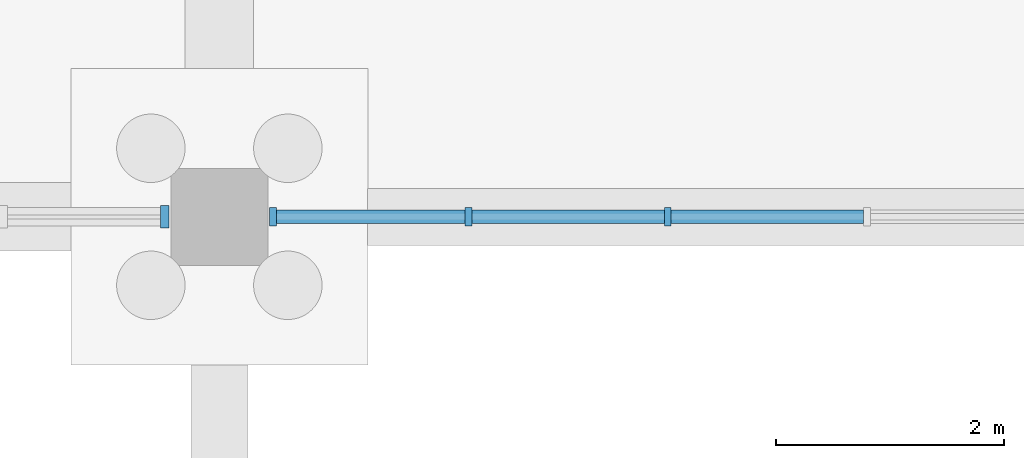
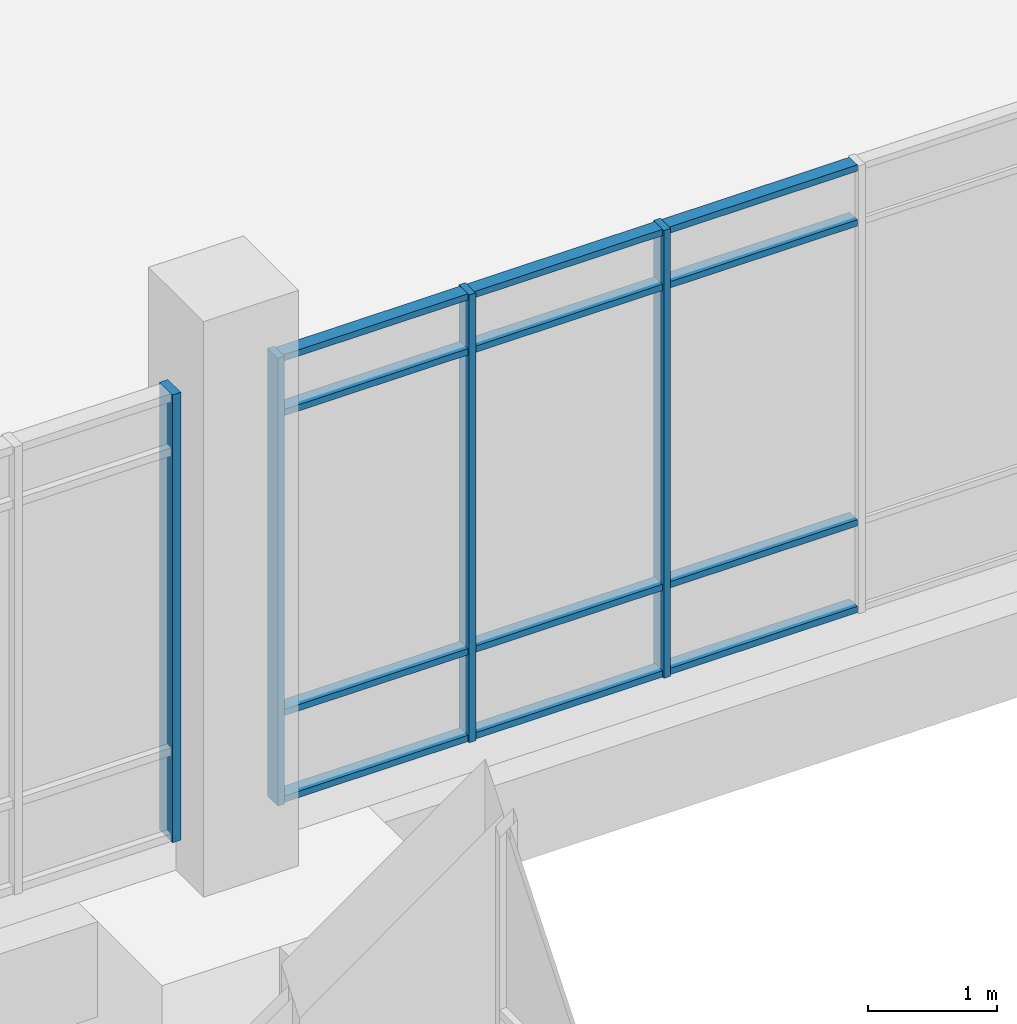
# One storey, part 39 of 136: 16 members, 2 elements without a shape of their own.
"""IFC4 building model written with IfcOpenShell, lengths in metres."""

from ifc_helpers import new_model, si_unit, direction, frame, origin, origin_2d, place, context, subcontext, project, spatial, rectangle, extrude, material, material_profile, profile_set, type_object, element, aggregate, save


model = new_model("IFC4")

# Units and contexts
model_context = context("Model", 3, precision=1e-05, world=origin(), true_north=direction((0.0, 1.0)))
body_context = subcontext(model_context, "Body", "Model", "MODEL_VIEW")
ifc_project = project(units=[si_unit("LENGTHUNIT", "METRE"), si_unit("AREAUNIT", "SQUARE_METRE"), si_unit("VOLUMEUNIT", "CUBIC_METRE"), si_unit("PLANEANGLEUNIT", "RADIAN"), si_unit("MASSUNIT", "GRAM", prefix="KILO")], contexts=[model_context])

# Site, building, storey
site_placement = place(None, origin())
site = spatial("IfcSite", under=ifc_project, at=site_placement, CompositionType="ELEMENT")
building_placement = place(site_placement, origin())
building = spatial("IfcBuilding", under=site, at=building_placement, Name="Oolite Switchyard Hospital", CompositionType="ELEMENT")
storey_placement = place(building_placement, origin())
storey = spatial("IfcBuildingStorey", under=building, at=storey_placement, Name="L00", CompositionType="ELEMENT", Elevation=0.0)

# Curtain wall, members
ifc_material_1 = material(Name="Thermally broken aluminum frame with laminated impact glazing", Category="aluminium")
curtain_wall_type_1 = type_object("IfcCurtainWallType", Name="CW-UNIT-96X51", PredefinedType="USERDEFINED", material=ifc_material_1)
curtain_wall_1_placement = place(storey_placement, origin())
curtain_wall_1 = element("IfcCurtainWall", 1, at=curtain_wall_1_placement, inside=storey, type_object=curtain_wall_type_1, Name="L00 Unitised Curtain Wall 30", ObjectType="UNITISED", PredefinedType="USERDEFINED")
ifc_material_2 = material(Name="Aluminium 6063-T6", Category="aluminium")
ifc_material_profile_1 = material_profile(ifc_material_2, rectangle(XDim=0.159912109375, YDim=0.06005859375, at=origin_2d()), Name="CWM60X160")
ifc_profile_set_1 = profile_set([ifc_material_profile_1], Name="Aluminium 6063-T6")
member_type_1 = type_object("IfcMemberType", Name="CW-MUL-180", PredefinedType="MULLION", material=ifc_profile_set_1)
member_1_placement = place(storey_placement, frame((61.528076171875, 84.0, 0.0), z_axis=(0.0, 0.0, 1.0), x_axis=(0.0, -1.0, 0.0)))
member_1 = element("IfcMember", 2, at=member_1_placement, type_object=member_type_1, Name="CW-01 mullion 4", PredefinedType="MULLION", context=body_context, shape_type="SweptSolid", body=[
    extrude(rectangle(XDim=0.159912109375, YDim=0.06005859375, at=origin_2d()), origin(), (0.0, 0.0, 1.0), 4.239990234375),
])
member_2_placement = place(storey_placement, frame((59.783935546875, 84.0, 0.0), z_axis=(0.0, 0.0, 1.0), x_axis=(0.0, -1.0, 0.0)))
member_2 = element("IfcMember", 3, at=member_2_placement, type_object=member_type_1, Name="CW-01 mullion 5", PredefinedType="MULLION", context=body_context, shape_type="SweptSolid", body=[
    extrude(rectangle(XDim=0.159912109375, YDim=0.06005859375, at=origin_2d()), origin(), (0.0, 0.0, 1.0), 4.239990234375),
])
member_3_placement = place(storey_placement, frame((58.070068359375, 84.0, 0.0), z_axis=(0.0, 0.0, 1.0), x_axis=(0.0, -1.0, 0.0)))
member_3 = element("IfcMember", 4, at=member_3_placement, type_object=member_type_1, Name="CW-01 mullion 6", PredefinedType="MULLION", context=body_context, shape_type="SweptSolid", body=[
    extrude(rectangle(XDim=0.159912109375, YDim=0.06005859375, at=origin_2d()), origin(), (0.0, 0.0, 1.0), 4.239990234375),
])

# Curtain wall, member
curtain_wall_type_2 = type_object("IfcCurtainWallType", Name="CW-UNIT-84X51", PredefinedType="USERDEFINED", material=ifc_material_1)
curtain_wall_2_placement = place(storey_placement, origin())
curtain_wall_2 = element("IfcCurtainWall", 5, at=curtain_wall_2_placement, inside=storey, type_object=curtain_wall_type_2, Name="L00 Unitised Curtain Wall 29", ObjectType="UNITISED", PredefinedType="USERDEFINED")
ifc_material_profile_2 = material_profile(ifc_material_2, rectangle(XDim=0.199951171875, YDim=0.074951171875, at=origin_2d()), Name="CWM75X200")
ifc_profile_set_2 = profile_set([ifc_material_profile_2], Name="Aluminium 6063-T6")
member_type_2 = type_object("IfcMemberType", Name="CW-MUL-260", PredefinedType="MULLION", material=ifc_profile_set_2)
member_4_placement = place(storey_placement, frame((57.12255859375, 84.0, 0.0), z_axis=(0.0, 0.0, 1.0), x_axis=(0.0, -1.0, 0.0)))
member_4 = element("IfcMember", 6, at=member_4_placement, type_object=member_type_2, Name="CW-06 mullion 1", PredefinedType="MULLION", context=body_context, shape_type="SweptSolid", body=[
    extrude(rectangle(XDim=0.199951171875, YDim=0.074951171875, at=origin_2d()), origin(), (0.0, 0.0, 1.0), 4.239990234375),
])
aggregate(curtain_wall_2, [member_4])

# Member
ifc_material_profile_3 = material_profile(ifc_material_2, rectangle(XDim=0.1201171875, YDim=0.06005859375, at=origin_2d()), Name="CWT60X120")
ifc_profile_set_3 = profile_set([ifc_material_profile_3], Name="Aluminium 6063-T6")
member_type_3 = type_object("IfcMemberType", Name="CW-TRN-150", PredefinedType="USERDEFINED", material=ifc_profile_set_3)
member_5_placement = place(storey_placement, frame((63.241943359375, 84.0, 0.030029296875), z_axis=(-1.0, 0.0, 0.0), x_axis=(0.0, -1.0, 0.0)))
member_5 = element("IfcMember", 7, at=member_5_placement, type_object=member_type_3, Name="CW-01 transom 3.1", ObjectType="TRANSOM", PredefinedType="USERDEFINED", context=body_context, shape_type="SweptSolid", body=[
    extrude(rectangle(XDim=0.1201171875, YDim=0.06005859375, at=origin_2d()), origin(), (0.0, 0.0, 1.0), 1.683837890625),
])

member_6_placement = place(storey_placement, frame((63.241943359375, 84.0, 0.85009765625), z_axis=(-1.0, 0.0, 0.0), x_axis=(0.0, -1.0, 0.0)))
member_6 = element("IfcMember", 8, at=member_6_placement, type_object=member_type_3, Name="CW-01 transom 3.2", ObjectType="TRANSOM", PredefinedType="USERDEFINED", context=body_context, shape_type="SweptSolid", body=[
    extrude(rectangle(XDim=0.1201171875, YDim=0.06005859375, at=origin_2d()), origin(), (0.0, 0.0, 1.0), 1.683837890625),
])

member_7_placement = place(storey_placement, frame((63.241943359375, 84.0, 3.68994140625), z_axis=(-1.0, 0.0, 0.0), x_axis=(0.0, -1.0, 0.0)))
member_7 = element("IfcMember", 9, at=member_7_placement, type_object=member_type_3, Name="CW-01 transom 3.3", ObjectType="TRANSOM", PredefinedType="USERDEFINED", context=body_context, shape_type="SweptSolid", body=[
    extrude(rectangle(XDim=0.1201171875, YDim=0.06005859375, at=origin_2d()), origin(), (0.0, 0.0, 1.0), 1.683837890625),
])

member_8_placement = place(storey_placement, frame((63.241943359375, 84.0, 4.2099609375), z_axis=(-1.0, 0.0, 0.0), x_axis=(0.0, -1.0, 0.0)))
member_8 = element("IfcMember", 10, at=member_8_placement, type_object=member_type_3, Name="CW-01 transom 3.4", ObjectType="TRANSOM", PredefinedType="USERDEFINED", context=body_context, shape_type="SweptSolid", body=[
    extrude(rectangle(XDim=0.1201171875, YDim=0.06005859375, at=origin_2d()), origin(), (0.0, 0.0, 1.0), 1.683837890625),
])

member_9_placement = place(storey_placement, frame((61.498046875, 84.0, 0.030029296875), z_axis=(-1.0, 0.0, 0.0), x_axis=(0.0, -1.0, 0.0)))
member_9 = element("IfcMember", 11, at=member_9_placement, type_object=member_type_3, Name="CW-01 transom 4.1", ObjectType="TRANSOM", PredefinedType="USERDEFINED", context=body_context, shape_type="SweptSolid", body=[
    extrude(rectangle(XDim=0.1201171875, YDim=0.06005859375, at=origin_2d()), origin(), (0.0, 0.0, 1.0), 1.68408203125),
])

member_10_placement = place(storey_placement, frame((61.498046875, 84.0, 0.85009765625), z_axis=(-1.0, 0.0, 0.0), x_axis=(0.0, -1.0, 0.0)))
member_10 = element("IfcMember", 12, at=member_10_placement, type_object=member_type_3, Name="CW-01 transom 4.2", ObjectType="TRANSOM", PredefinedType="USERDEFINED", context=body_context, shape_type="SweptSolid", body=[
    extrude(rectangle(XDim=0.1201171875, YDim=0.06005859375, at=origin_2d()), origin(), (0.0, 0.0, 1.0), 1.68408203125),
])

member_11_placement = place(storey_placement, frame((61.498046875, 84.0, 3.68994140625), z_axis=(-1.0, 0.0, 0.0), x_axis=(0.0, -1.0, 0.0)))
member_11 = element("IfcMember", 13, at=member_11_placement, type_object=member_type_3, Name="CW-01 transom 4.3", ObjectType="TRANSOM", PredefinedType="USERDEFINED", context=body_context, shape_type="SweptSolid", body=[
    extrude(rectangle(XDim=0.1201171875, YDim=0.06005859375, at=origin_2d()), origin(), (0.0, 0.0, 1.0), 1.68408203125),
])

member_12_placement = place(storey_placement, frame((61.498046875, 84.0, 4.2099609375), z_axis=(-1.0, 0.0, 0.0), x_axis=(0.0, -1.0, 0.0)))
member_12 = element("IfcMember", 14, at=member_12_placement, type_object=member_type_3, Name="CW-01 transom 4.4", ObjectType="TRANSOM", PredefinedType="USERDEFINED", context=body_context, shape_type="SweptSolid", body=[
    extrude(rectangle(XDim=0.1201171875, YDim=0.06005859375, at=origin_2d()), origin(), (0.0, 0.0, 1.0), 1.68408203125),
])

member_13_placement = place(storey_placement, frame((59.75390625, 84.0, 0.030029296875), z_axis=(-1.0, 0.0, 0.0), x_axis=(0.0, -1.0, 0.0)))
member_13 = element("IfcMember", 15, at=member_13_placement, type_object=member_type_3, Name="CW-01 transom 5.1", ObjectType="TRANSOM", PredefinedType="USERDEFINED", context=body_context, shape_type="SweptSolid", body=[
    extrude(rectangle(XDim=0.1201171875, YDim=0.06005859375, at=origin_2d()), origin(), (0.0, 0.0, 1.0), 1.65380859375),
])

member_14_placement = place(storey_placement, frame((59.75390625, 84.0, 0.85009765625), z_axis=(-1.0, 0.0, 0.0), x_axis=(0.0, -1.0, 0.0)))
member_14 = element("IfcMember", 16, at=member_14_placement, type_object=member_type_3, Name="CW-01 transom 5.2", ObjectType="TRANSOM", PredefinedType="USERDEFINED", context=body_context, shape_type="SweptSolid", body=[
    extrude(rectangle(XDim=0.1201171875, YDim=0.06005859375, at=origin_2d()), origin(), (0.0, 0.0, 1.0), 1.65380859375),
])

member_15_placement = place(storey_placement, frame((59.75390625, 84.0, 3.68994140625), z_axis=(-1.0, 0.0, 0.0), x_axis=(0.0, -1.0, 0.0)))
member_15 = element("IfcMember", 17, at=member_15_placement, type_object=member_type_3, Name="CW-01 transom 5.3", ObjectType="TRANSOM", PredefinedType="USERDEFINED", context=body_context, shape_type="SweptSolid", body=[
    extrude(rectangle(XDim=0.1201171875, YDim=0.06005859375, at=origin_2d()), origin(), (0.0, 0.0, 1.0), 1.65380859375),
])

member_16_placement = place(storey_placement, frame((59.75390625, 84.0, 4.2099609375), z_axis=(-1.0, 0.0, 0.0), x_axis=(0.0, -1.0, 0.0)))
member_16 = element("IfcMember", 18, at=member_16_placement, type_object=member_type_3, Name="CW-01 transom 5.4", ObjectType="TRANSOM", PredefinedType="USERDEFINED", context=body_context, shape_type="SweptSolid", body=[
    extrude(rectangle(XDim=0.1201171875, YDim=0.06005859375, at=origin_2d()), origin(), (0.0, 0.0, 1.0), 1.65380859375),
])

aggregate(curtain_wall_1, [member_1, member_2, member_3, member_5, member_6, member_7, member_8, member_9, member_10, member_11, member_12, member_13, member_14, member_15, member_16])

save(model, "model.ifc")
